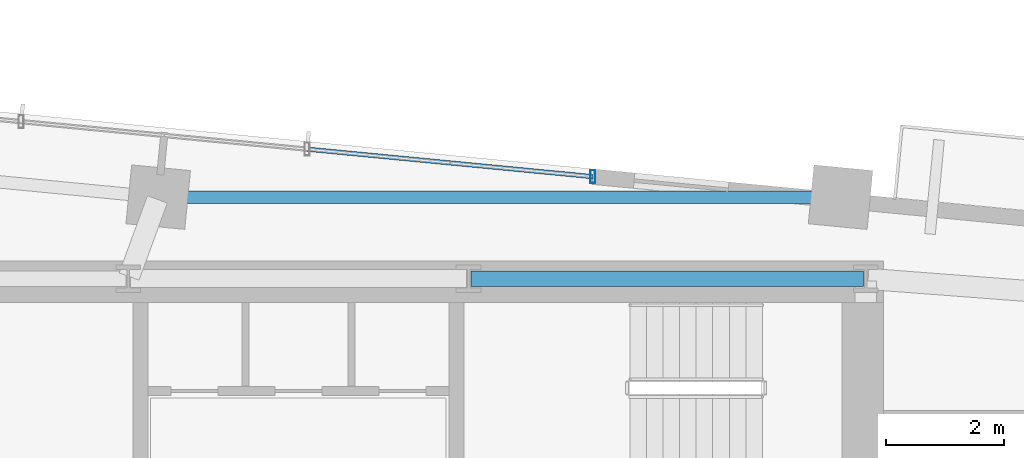
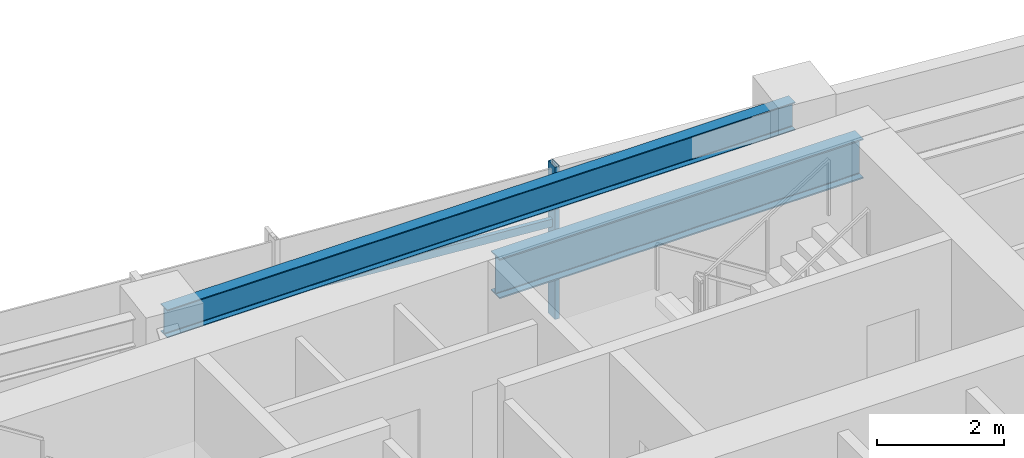
# One storey, part 11 of 19: 2 beams, 2 members, 1 element without a shape of its own.
"""IFC4 building model written with IfcOpenShell, lengths in metres."""

from ifc_helpers import new_model, si_unit, direction, frame, origin, origin_2d, place, context, subcontext, project, spatial, hollow_rectangle, i_section, extrude, source, transform, mapped, material, material_profile, profile_set, type_object, type_shapes, element, aggregate, save


model = new_model("IFC4")

# Units and contexts
model_context = context("Model", 3, precision=1e-05, world=origin(), true_north=direction((0.0, 1.0)))
body_context = subcontext(model_context, "Body", "Model", "MODEL_VIEW")
ifc_project = project(units=[si_unit("LENGTHUNIT", "METRE"), si_unit("AREAUNIT", "SQUARE_METRE"), si_unit("VOLUMEUNIT", "CUBIC_METRE"), si_unit("PLANEANGLEUNIT", "RADIAN"), si_unit("MASSUNIT", "GRAM", prefix="KILO")], contexts=[model_context])

# Site, building, storey
site_placement = place(None, origin())
site = spatial("IfcSite", under=ifc_project, at=site_placement, CompositionType="ELEMENT")
building_placement = place(site_placement, origin())
building = spatial("IfcBuilding", under=site, at=building_placement, Name="Astriad Promenade Condominiums", CompositionType="ELEMENT")
storey_placement = place(building_placement, frame((0.0, 0.0, 150.199951171875)))
storey = spatial("IfcBuildingStorey", under=building, at=storey_placement, Name="L43", CompositionType="ELEMENT", Elevation=150.199951171875)

# Beams
ifc_material_1 = material(Name="Steel ASTM A992 Grade 50", Category="steel")
ifc_material_profile_1 = material_profile(ifc_material_1, i_section(OverallWidth=0.267822265625, OverallDepth=0.76953125, WebThickness=0.015625, FlangeThickness=0.025390625, FilletRadius=0.021484375, at=origin_2d()), Name="W30X132")
ifc_profile_set_1 = profile_set([ifc_material_profile_1], Name="Steel ASTM A992 Grade 50")
beam_type_1 = type_object("IfcBeamType", Name="STEEL FLOOR GIRDER W30X132", PredefinedType="BEAM", material=ifc_profile_set_1)
shared_shape_1 = source(origin(), body_context, "Body", "SweptSolid", [
    extrude(i_section(OverallWidth=0.267822265625, OverallDepth=0.76953125, WebThickness=0.015625, FlangeThickness=0.025390625, FilletRadius=0.021484375, at=origin_2d()), origin(), (0.0, 0.0, 1.0), 6.64013671875),
])
type_shapes(beam_type_1, [shared_shape_1])
beam_1_placement = place(storey_placement, frame((38.919921875, 24.0, 2.55517578125), z_axis=(1.0, 0.0, 0.0), x_axis=(0.0, 1.0, 0.0)))
element("IfcBeam", 1, at=beam_1_placement, inside=storey, type_object=beam_type_1, Name="Core Ring Beam CG-N3-L43", PredefinedType="BEAM", context=body_context, shape_type="MappedRepresentation", body=[
    mapped(shared_shape_1, transform((0.0, 0.0, 0.0), scale=1.0)),
])
ifc_material_profile_2 = material_profile(ifc_material_1, i_section(OverallWidth=0.210693359375, OverallDepth=0.53955078125, WebThickness=0.01171875, FlangeThickness=0.018798828125, FilletRadius=0.0166015625, at=origin_2d()), Name="W21X73")
ifc_profile_set_2 = profile_set([ifc_material_profile_2], Name="Steel ASTM A992 Grade 50")
beam_type_2 = type_object("IfcBeamType", Name="STEEL SPANDREL BEAM W21X73", PredefinedType="SPANDREL", material=ifc_profile_set_2)
shared_shape_2 = source(origin(), body_context, "Body", "SweptSolid", [
    extrude(i_section(OverallWidth=0.210693359375, OverallDepth=0.53955078125, WebThickness=0.01171875, FlangeThickness=0.018798828125, FilletRadius=0.0166015625, at=origin_2d()), origin(), (0.0, 0.0, 1.0), 11.466552734375),
])
type_shapes(beam_type_2, [shared_shape_2])
beam_2_placement = place(storey_placement, frame((45.1328125, 25.3798828125, 2.670166015625), z_axis=(-0.999999999093, 4.258309e-05, 0.0), x_axis=(-4.258309e-05, -0.999999999093, 0.0)))
element("IfcBeam", 2, at=beam_2_placement, inside=storey, type_object=beam_type_2, Name="Perimeter Spandrel Beam SP-N3-L43", PredefinedType="SPANDREL", context=body_context, shape_type="MappedRepresentation", body=[
    mapped(shared_shape_2, transform((0.0, 0.0, 0.0), scale=1.0)),
])

# Curtain wall, members
ifc_material_2 = material(Name="Anodised aluminium Black Dark Glass Unitised", Category="aluminium")
curtain_wall_type = type_object("IfcCurtainWallType", Name="CW-B34-DARK", PredefinedType="USERDEFINED", material=ifc_material_2)
curtain_wall_placement = place(storey_placement, origin())
curtain_wall = element("IfcCurtainWall", 3, at=curtain_wall_placement, inside=storey, type_object=curtain_wall_type, Name="CW-L43-N", ObjectType="UNITISED_CURTAIN_WALL", PredefinedType="USERDEFINED")
ifc_material_3 = material(Name="Anodised aluminium 6063-T6 Black", Category="aluminium")
ifc_material_profile_3 = material_profile(ifc_material_3, hollow_rectangle(XDim=0.0849609375, YDim=0.219970703125, WallThickness=0.0048828125, at=origin_2d()), Name="ALU-MUL-85X220")
ifc_profile_set_3 = profile_set([ifc_material_profile_3], Name="Anodised aluminium 6063-T6 Black")
member_type_1 = type_object("IfcMemberType", Name="MUL-ALU-MUL-85X220", PredefinedType="MULLION", material=ifc_profile_set_3)
shared_shape_3 = source(origin(), body_context, "Body", "SweptSolid", [
    extrude(hollow_rectangle(XDim=0.0849609375, YDim=0.219970703125, WallThickness=0.0048828125, at=origin_2d()), origin(), (0.0, 0.0, 1.0), 2.93994140625),
])
type_shapes(member_type_1, [shared_shape_3])
member_1_placement = place(storey_placement, frame((40.9833984375, 25.726806640625, 0.0), z_axis=(0.0, 0.0, 1.0), x_axis=(1.0, 0.0, 0.0)))
member_1 = element("IfcMember", 4, at=member_1_placement, type_object=member_type_1, Name="CW-L43-N-MUL-03", PredefinedType="MULLION", context=body_context, shape_type="MappedRepresentation", body=[
    mapped(shared_shape_3, transform((0.0, 0.0, 0.0), scale=1.0)),
])
ifc_material_profile_4 = material_profile(ifc_material_3, hollow_rectangle(XDim=0.074951171875, YDim=0.14990234375, WallThickness=0.004150390625, at=origin_2d()), Name="ALU-TRN-75X150")
ifc_profile_set_4 = profile_set([ifc_material_profile_4], Name="Anodised aluminium 6063-T6 Black")
member_type_2 = type_object("IfcMemberType", Name="TRN-ALU-TRN-75X150", PredefinedType="USERDEFINED", material=ifc_profile_set_4)
shared_shape_4 = source(origin(), body_context, "Body", "SweptSolid", [
    extrude(hollow_rectangle(XDim=0.074951171875, YDim=0.14990234375, WallThickness=0.004150390625, at=origin_2d()), origin(), (0.0, 0.0, 1.0), 4.860107421875),
])
type_shapes(member_type_2, [shared_shape_4])
member_2_placement = place(storey_placement, frame((36.145751953125, 26.1923828125, 1.82275390625), z_axis=(0.995400834012, -0.095797597298, 0.0), x_axis=(0.095797597298, 0.995400834012, 0.0)))
member_2 = element("IfcMember", 5, at=member_2_placement, type_object=member_type_2, Name="CW-L43-N-TRN-02-0", ObjectType="TRANSOM", PredefinedType="USERDEFINED", context=body_context, shape_type="MappedRepresentation", body=[
    mapped(shared_shape_4, transform((0.0, 0.0, 0.0), scale=1.0)),
])
aggregate(curtain_wall, [member_1, member_2])

save(model, "model.ifc")
